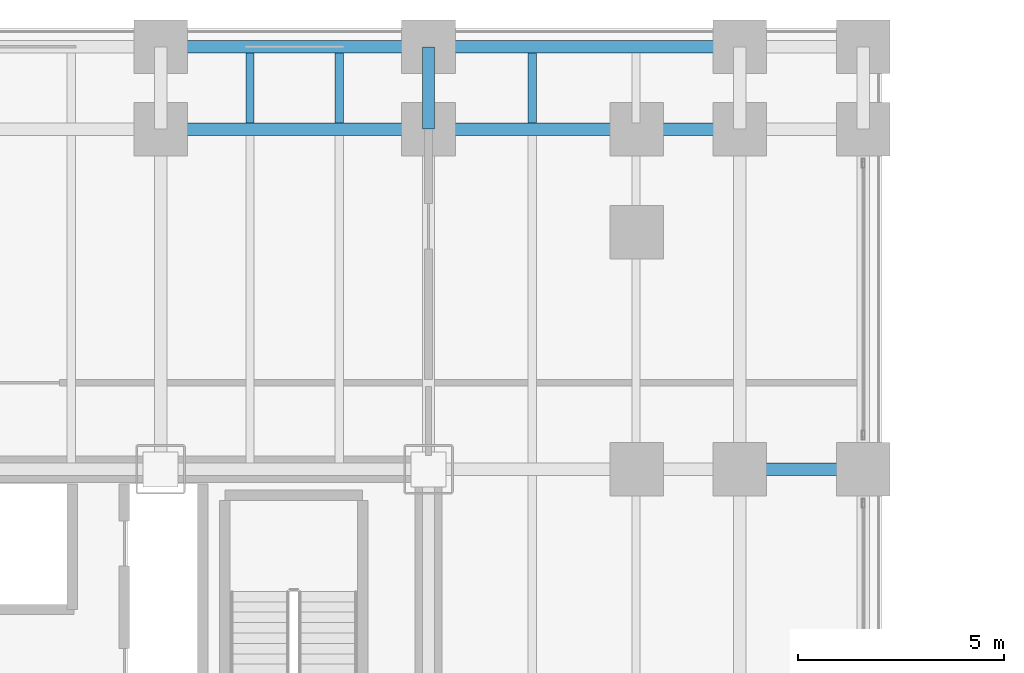
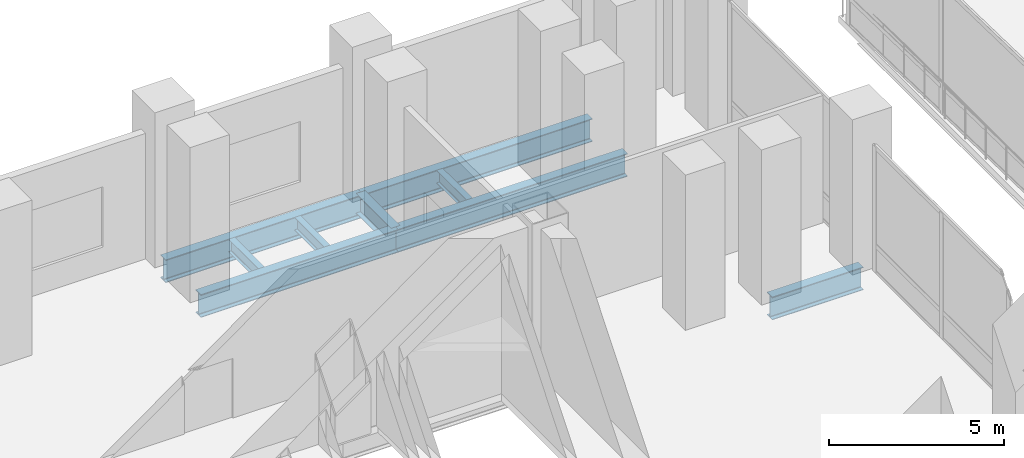
# One storey, part 18 of 31: 9 beams.
"""IFC4 building model written with IfcOpenShell, lengths in metres."""

from ifc_helpers import new_model, si_unit, direction, frame, origin, origin_2d, place, context, subcontext, project, spatial, i_section, extrude, material, material_profile, profile_set, type_object, element, save


model = new_model("IFC4")

# Units and contexts
model_context = context("Model", 3, precision=1e-05, world=origin(), true_north=direction((0.0, 1.0)))
body_context = subcontext(model_context, "Body", "Model", "MODEL_VIEW")
ifc_project = project(units=[si_unit("LENGTHUNIT", "METRE"), si_unit("AREAUNIT", "SQUARE_METRE"), si_unit("VOLUMEUNIT", "CUBIC_METRE"), si_unit("PLANEANGLEUNIT", "RADIAN"), si_unit("MASSUNIT", "GRAM", prefix="KILO")], contexts=[model_context])

# Site, building, storey
site_placement = place(None, origin())
site = spatial("IfcSite", under=ifc_project, at=site_placement, CompositionType="ELEMENT")
building_placement = place(site_placement, origin())
building = spatial("IfcBuilding", under=site, at=building_placement, Name="Noeulbin Bourse Tower", CompositionType="ELEMENT")
storey_placement = place(building_placement, frame((0.0, 0.0, 11.199951171875)))
storey = spatial("IfcBuildingStorey", under=building, at=storey_placement, Name="L03", CompositionType="ELEMENT", Elevation=11.199951171875)

# Beams
ifc_material = material(Name="Steel S355", Category="steel")
ifc_material_profile_1 = material_profile(ifc_material, i_section(OverallWidth=0.300048828125, OverallDepth=0.699951171875, WebThickness=0.012939453125, FlangeThickness=0.02392578125, FilletRadius=0.02392578125, at=origin_2d()), Name="H-700x300x13x24", Category="LoadBearing")
ifc_profile_set_1 = profile_set([ifc_material_profile_1], Name="Steel S355")
beam_type_1 = type_object("IfcBeamType", Name="BM-GRD-700", PredefinedType="USERDEFINED", material=ifc_profile_set_1)
beam_1_placement = place(storey_placement, frame((44.0, 46.550048828125, -0.599853515625), z_axis=(0.0, 1.0, 0.0), x_axis=(-1.0, 0.0, 0.0)))
element("IfcBeam", 1, at=beam_1_placement, inside=storey, type_object=beam_type_1, Name="Podium Primary Girder NS L03-095", ObjectType="GIRDER", PredefinedType="USERDEFINED", context=body_context, shape_type="SweptSolid", body=[
    extrude(i_section(OverallWidth=0.300048828125, OverallDepth=0.699951171875, WebThickness=0.012939453125, FlangeThickness=0.02392578125, FilletRadius=0.02392578125, at=origin_2d()), origin(), (0.0, 0.0, 1.0), 2.0),
])
ifc_material_profile_2 = material_profile(ifc_material, i_section(OverallWidth=0.300048828125, OverallDepth=0.800048828125, WebThickness=0.013916015625, FlangeThickness=0.02587890625, FilletRadius=0.02587890625, at=origin_2d()), Name="H-800x300x14x26", Category="LoadBearing")
ifc_profile_set_2 = profile_set([ifc_material_profile_2], Name="Steel S355")
beam_type_2 = type_object("IfcBeamType", Name="BM-GRD-800", PredefinedType="USERDEFINED", material=ifc_profile_set_2)
beam_2_placement = place(storey_placement, frame((51.550048828125, 38.300048828125, -0.64990234375), z_axis=(1.0, 0.0, 0.0), x_axis=(0.0, 1.0, 0.0)))
element("IfcBeam", 2, at=beam_2_placement, inside=storey, type_object=beam_type_2, Name="Podium Primary Girder EW L03-040", ObjectType="GIRDER", PredefinedType="USERDEFINED", context=body_context, shape_type="SweptSolid", body=[
    extrude(i_section(OverallWidth=0.300048828125, OverallDepth=0.800048828125, WebThickness=0.013916015625, FlangeThickness=0.02587890625, FilletRadius=0.02587890625, at=origin_2d()), origin(), (0.0, 0.0, 1.0), 3.0),
])
beam_3_placement = place(storey_placement, frame((37.5, 46.550048828125, -0.64990234375), z_axis=(1.0, 0.0, 0.0), x_axis=(0.0, 1.0, 0.0)))
element("IfcBeam", 3, at=beam_3_placement, inside=storey, type_object=beam_type_2, Name="Podium Primary Girder EW L03-046", ObjectType="GIRDER", PredefinedType="USERDEFINED", context=body_context, shape_type="SweptSolid", body=[
    extrude(i_section(OverallWidth=0.300048828125, OverallDepth=0.800048828125, WebThickness=0.013916015625, FlangeThickness=0.02587890625, FilletRadius=0.02587890625, at=origin_2d()), origin(), (0.0, 0.0, 1.0), 6.5),
])
beam_4_placement = place(storey_placement, frame((44.0, 46.550048828125, -0.64990234375), z_axis=(1.0, 0.0, 0.0), x_axis=(0.0, 1.0, 0.0)))
element("IfcBeam", 4, at=beam_4_placement, inside=storey, type_object=beam_type_2, Name="Podium Primary Girder EW L03-047", ObjectType="GIRDER", PredefinedType="USERDEFINED", context=body_context, shape_type="SweptSolid", body=[
    extrude(i_section(OverallWidth=0.300048828125, OverallDepth=0.800048828125, WebThickness=0.013916015625, FlangeThickness=0.02587890625, FilletRadius=0.02587890625, at=origin_2d()), origin(), (0.0, 0.0, 1.0), 7.550048828125),
])
beam_5_placement = place(storey_placement, frame((37.5, 48.550048828125, -0.64990234375), z_axis=(1.0, 0.0, 0.0), x_axis=(0.0, 1.0, 0.0)))
element("IfcBeam", 5, at=beam_5_placement, inside=storey, type_object=beam_type_2, Name="Podium Primary Girder EW L03-054", ObjectType="GIRDER", PredefinedType="USERDEFINED", context=body_context, shape_type="SweptSolid", body=[
    extrude(i_section(OverallWidth=0.300048828125, OverallDepth=0.800048828125, WebThickness=0.013916015625, FlangeThickness=0.02587890625, FilletRadius=0.02587890625, at=origin_2d()), origin(), (0.0, 0.0, 1.0), 6.5),
])
beam_6_placement = place(storey_placement, frame((44.0, 48.550048828125, -0.64990234375), z_axis=(1.0, 0.0, 0.0), x_axis=(0.0, 1.0, 0.0)))
element("IfcBeam", 6, at=beam_6_placement, inside=storey, type_object=beam_type_2, Name="Podium Primary Girder EW L03-055", ObjectType="GIRDER", PredefinedType="USERDEFINED", context=body_context, shape_type="SweptSolid", body=[
    extrude(i_section(OverallWidth=0.300048828125, OverallDepth=0.800048828125, WebThickness=0.013916015625, FlangeThickness=0.02587890625, FilletRadius=0.02587890625, at=origin_2d()), origin(), (0.0, 0.0, 1.0), 7.550048828125),
])
ifc_material_profile_3 = material_profile(ifc_material, i_section(OverallWidth=0.199951171875, OverallDepth=0.449951171875, WebThickness=0.009033203125, FlangeThickness=0.013916015625, FilletRadius=0.01806640625, at=origin_2d()), Name="H-450x200x9x14", Category="LoadBearing")
ifc_profile_set_3 = profile_set([ifc_material_profile_3], Name="Steel S355")
beam_type_3 = type_object("IfcBeamType", Name="BM-SEC-450", PredefinedType="BEAM", material=ifc_profile_set_3)
for number, where, z_axis, x_axis, name in (
    (7, (39.666748046875, 46.699951171875, -0.474853515625), (0.0, 1.0, 0.0), (-1.0, 0.0, 0.0), "Podium Secondary Beam L03-067"),
    (8, (41.833251953125, 46.699951171875, -0.474853515625), (0.0, 1.0, 0.0), (-1.0, 0.0, 0.0), "Podium Secondary Beam L03-072"),
    (9, (46.5166015625, 46.699951171875, -0.474853515625), (0.0, 1.0, 0.0), (-1.0, 0.0, 0.0), "Podium Secondary Beam L03-078"),
):
    element("IfcBeam", number, at=place(storey_placement, frame(where, z_axis=z_axis, x_axis=x_axis)), inside=storey, type_object=beam_type_3, Name=name, PredefinedType="BEAM", context=body_context, shape_type="SweptSolid", body=[
        extrude(i_section(OverallWidth=0.199951171875, OverallDepth=0.449951171875, WebThickness=0.009033203125, FlangeThickness=0.013916015625, FilletRadius=0.01806640625, at=origin_2d()), origin(), (0.0, 0.0, 1.0), 1.699951171875),
    ])

save(model, "model.ifc")
